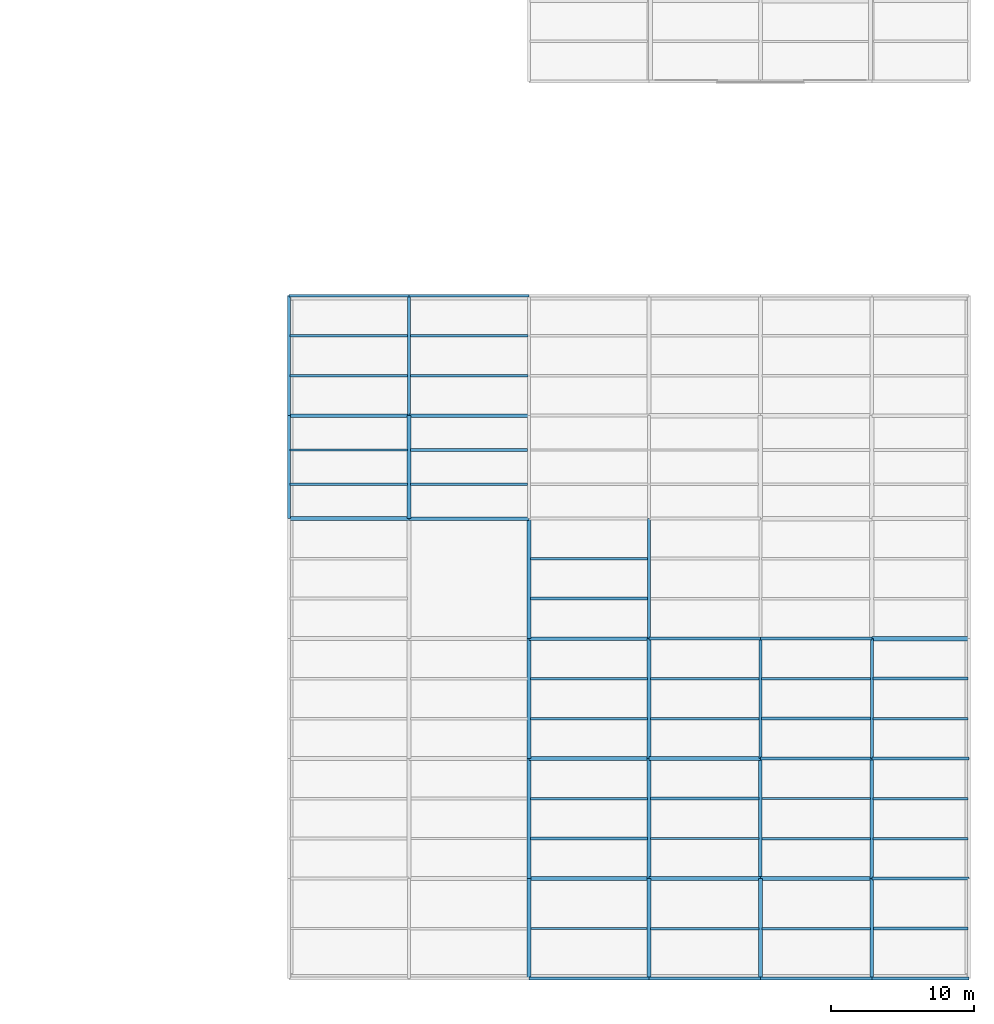
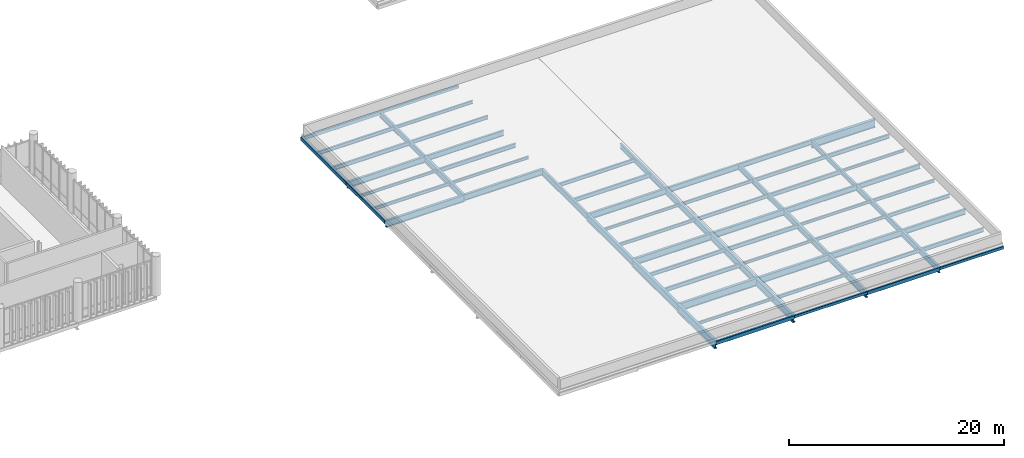
# One storey, part 35 of 68: 70 beams.
"""IFC4 building model written with IfcOpenShell, lengths in metres."""

from ifc_helpers import new_model, si_unit, direction, frame, origin_with_axes, origin_2d_with_axis, place, context, subcontext, project, spatial, hollow_rectangle, i_section, extrude, material, material_profile, profile_set, type_object, element, save


model = new_model("IFC4")

# Units and contexts
model_context = context("Model", 3, precision=1e-05, world=origin_with_axes(), true_north=direction((0.0, 1.0)))
body_context = subcontext(model_context, "Body", "Model", "MODEL_VIEW")
ifc_project = project(units=[si_unit("LENGTHUNIT", "METRE"), si_unit("AREAUNIT", "SQUARE_METRE"), si_unit("VOLUMEUNIT", "CUBIC_METRE"), si_unit("PLANEANGLEUNIT", "RADIAN"), si_unit("MASSUNIT", "GRAM", prefix="KILO"), si_unit("THERMODYNAMICTEMPERATUREUNIT", "KELVIN")], contexts=[model_context])

# Site, building, storey
site_placement = place(None, origin_with_axes())
site = spatial("IfcSite", under=ifc_project, at=site_placement, CompositionType="ELEMENT")
building_placement = place(site_placement, origin_with_axes())
building = spatial("IfcBuilding", under=site, at=building_placement, Name="Montbau Bow Law Courts", CompositionType="ELEMENT")
storey_placement = place(building_placement, frame((0.0, 0.0, 20.4), z_axis=(0.0, 0.0, 1.0), x_axis=(1.0, 0.0, 0.0)))
storey = spatial("IfcBuildingStorey", under=building, at=storey_placement, Name="L04", CompositionType="ELEMENT", Elevation=20.4)

# Beams
ifc_material_1 = material(Name="Steel CSA G40.21 Grade 350W (350 MPa)", Category="steel")
ifc_material_profile_1 = material_profile(ifc_material_1, i_section(OverallWidth=0.306, OverallDepth=0.919, WebThickness=0.0173, FlangeThickness=0.0279, at=origin_2d_with_axis()), Name="W920X253", Category="Main", Priority=0)
ifc_profile_set_1 = profile_set([ifc_material_profile_1], Name="Steel CSA G40.21 Grade 350W (350 MPa)")
beam_type_1 = type_object("IfcBeamType", Name="B-FLR-01", PredefinedType="BEAM", material=ifc_profile_set_1)
beam_1_placement = place(None, frame((162.6, 30.6, 19.651), z_axis=(1.0, 0.0, 0.0), x_axis=(0.0, 1.0, 0.0)))
element("IfcBeam", 1, at=beam_1_placement, inside=storey, type_object=beam_type_1, Name="BM-L04-S1732:bm2_1735", PredefinedType="BEAM", context=body_context, shape_type="SweptSolid", body=[
    extrude(i_section(OverallWidth=0.306, OverallDepth=0.919, WebThickness=0.0173, FlangeThickness=0.0279, at=origin_2d_with_axis()), origin_with_axes(), (0.0, 0.0, 1.0), 6.8),
])
beam_2_placement = place(None, frame((138.6, 6.8, 19.691), z_axis=(0.0, 1.0, 0.0), x_axis=(-1.0, 0.0, 0.0)))
element("IfcBeam", 2, at=beam_2_placement, inside=storey, type_object=beam_type_1, Name="BM-L04-S1763:bm2_1766", PredefinedType="BEAM", context=body_context, shape_type="SweptSolid", body=[
    extrude(i_section(OverallWidth=0.306, OverallDepth=0.919, WebThickness=0.0173, FlangeThickness=0.0279, at=origin_2d_with_axis()), origin_with_axes(), (0.0, 0.0, 1.0), 7.0),
])
ifc_material_profile_2 = material_profile(ifc_material_1, i_section(OverallWidth=0.293, OverallDepth=0.846, WebThickness=0.0154, FlangeThickness=0.0244, at=origin_2d_with_axis()), Name="W840X210", Category="Main", Priority=0)
ifc_profile_set_2 = profile_set([ifc_material_profile_2], Name="Steel CSA G40.21 Grade 350W (350 MPa)")
beam_type_2 = type_object("IfcBeamType", Name="B-FLR-02", PredefinedType="BEAM", material=ifc_profile_set_2)
for number, where, z_axis, x_axis, name in (
    (3, (138.6, 13.8, 19.687), (1.0, 0.0, 0.0), (0.0, 1.0, 0.0), "BM-L04-S1717:bm2_1720"),
    (4, (138.6, 13.8, 19.727), (0.0, 1.0, 0.0), (-1.0, 0.0, 0.0), "BM-L04-S1764:bm2_1767"),
):
    element("IfcBeam", number, at=place(None, frame(where, z_axis=z_axis, x_axis=x_axis)), inside=storey, type_object=beam_type_2, Name=name, PredefinedType="BEAM", context=body_context, shape_type="SweptSolid", body=[
        extrude(i_section(OverallWidth=0.293, OverallDepth=0.846, WebThickness=0.0154, FlangeThickness=0.0244, at=origin_2d_with_axis()), origin_with_axes(), (0.0, 0.0, 1.0), 8.4),
    ])
beam_3_placement = place(None, frame((147.0, 6.8, 19.687), z_axis=(0.0, 1.0, 0.0), x_axis=(-1.0, 0.0, 0.0)))
element("IfcBeam", 5, at=beam_3_placement, inside=storey, type_object=beam_type_2, Name="BM-L04-S1769:bm2_1772", PredefinedType="BEAM", context=body_context, shape_type="SweptSolid", body=[
    extrude(i_section(OverallWidth=0.293, OverallDepth=0.846, WebThickness=0.0154, FlangeThickness=0.0244, at=origin_2d_with_axis()), origin_with_axes(), (0.0, 0.0, 1.0), 7.0),
])
ifc_material_profile_3 = material_profile(ifc_material_1, i_section(OverallWidth=0.267, OverallDepth=0.766, WebThickness=0.0149, FlangeThickness=0.0236, at=origin_2d_with_axis()), Name="W760X185", Category="Main", Priority=0)
ifc_profile_set_3 = profile_set([ifc_material_profile_3], Name="Steel CSA G40.21 Grade 350W (350 MPa)")
beam_type_3 = type_object("IfcBeamType", Name="B-FLR-03", PredefinedType="BEAM", material=ifc_profile_set_3)
beam_4_placement = place(None, frame((147.0, 13.8, 19.727), z_axis=(1.0, 0.0, 0.0), x_axis=(0.0, 1.0, 0.0)))
element("IfcBeam", 6, at=beam_4_placement, inside=storey, type_object=beam_type_3, Name="BM-L04-S1718:bm2_1721", PredefinedType="BEAM", context=body_context, shape_type="SweptSolid", body=[
    extrude(i_section(OverallWidth=0.267, OverallDepth=0.766, WebThickness=0.0149, FlangeThickness=0.0236, at=origin_2d_with_axis()), origin_with_axes(), (0.0, 0.0, 1.0), 7.8),
])
for number, where, z_axis, x_axis, name in (
    (7, (138.6, 22.2, 19.727), (1.0, 0.0, 0.0), (0.0, 1.0, 0.0), "BM-L04-S1723:bm2_1726"),
    (8, (121.8, 39.0, 19.767), (1.0, 0.0, 0.0), (0.0, 1.0, 0.0), "BM-L04-S1733:bm2_1736"),
    (9, (138.6, 22.2, 19.767), (0.0, 1.0, 0.0), (-1.0, 0.0, 0.0), "BM-L04-S1765:bm2_1768"),
    (10, (147.0, 13.8, 19.727), (0.0, 1.0, 0.0), (-1.0, 0.0, 0.0), "BM-L04-S1770:bm2_1773"),
):
    element("IfcBeam", number, at=place(None, frame(where, z_axis=z_axis, x_axis=x_axis)), inside=storey, type_object=beam_type_3, Name=name, PredefinedType="BEAM", context=body_context, shape_type="SweptSolid", body=[
        extrude(i_section(OverallWidth=0.267, OverallDepth=0.766, WebThickness=0.0149, FlangeThickness=0.0236, at=origin_2d_with_axis()), origin_with_axes(), (0.0, 0.0, 1.0), 8.4),
    ])
beam_5_placement = place(None, frame((154.8, 6.8, 19.727), z_axis=(0.0, 1.0, 0.0), x_axis=(-1.0, 0.0, 0.0)))
element("IfcBeam", 11, at=beam_5_placement, inside=storey, type_object=beam_type_3, Name="BM-L04-S1775:bm2_1778", PredefinedType="BEAM", context=body_context, shape_type="SweptSolid", body=[
    extrude(i_section(OverallWidth=0.267, OverallDepth=0.766, WebThickness=0.0149, FlangeThickness=0.0236, at=origin_2d_with_axis()), origin_with_axes(), (0.0, 0.0, 1.0), 7.0),
])
ifc_material_profile_4 = material_profile(ifc_material_1, i_section(OverallWidth=0.254, OverallDepth=0.688, WebThickness=0.0131, FlangeThickness=0.0211, at=origin_2d_with_axis()), Name="W690X152", Category="Main", Priority=0)
ifc_profile_set_4 = profile_set([ifc_material_profile_4], Name="Steel CSA G40.21 Grade 350W (350 MPa)")
beam_type_4 = type_object("IfcBeamType", Name="B-FLR-04", PredefinedType="BEAM", material=ifc_profile_set_4)
for number, where, z_axis, x_axis, name in (
    (12, (154.8, 13.8, 19.766), (1.0, 0.0, 0.0), (0.0, 1.0, 0.0), "BM-L04-S1719:bm2_1722"),
    (13, (147.0, 22.2, 19.766), (1.0, 0.0, 0.0), (0.0, 1.0, 0.0), "BM-L04-S1724:bm2_1727"),
):
    element("IfcBeam", number, at=place(None, frame(where, z_axis=z_axis, x_axis=x_axis)), inside=storey, type_object=beam_type_4, Name=name, PredefinedType="BEAM", context=body_context, shape_type="SweptSolid", body=[
        extrude(i_section(OverallWidth=0.254, OverallDepth=0.688, WebThickness=0.0131, FlangeThickness=0.0211, at=origin_2d_with_axis()), origin_with_axes(), (0.0, 0.0, 1.0), 7.8),
    ])
for number, where, z_axis, x_axis, name in (
    (14, (138.6, 30.6, 19.766), (1.0, 0.0, 0.0), (0.0, 1.0, 0.0), "BM-L04-S1729:bm2_1732"),
    (15, (130.2, 39.0, 19.806), (1.0, 0.0, 0.0), (0.0, 1.0, 0.0), "BM-L04-S1734:bm2_1737"),
    (16, (121.8, 46.2, 19.806), (1.0, 0.0, 0.0), (0.0, 1.0, 0.0), "BM-L04-S1739:bm2_1742"),
):
    element("IfcBeam", number, at=place(None, frame(where, z_axis=z_axis, x_axis=x_axis)), inside=storey, type_object=beam_type_4, Name=name, PredefinedType="BEAM", context=body_context, shape_type="SweptSolid", body=[
        extrude(i_section(OverallWidth=0.254, OverallDepth=0.688, WebThickness=0.0131, FlangeThickness=0.0211, at=origin_2d_with_axis()), origin_with_axes(), (0.0, 0.0, 1.0), 8.4),
    ])
beam_6_placement = place(None, frame((130.2, 39.0, 19.806), z_axis=(0.0, 1.0, 0.0), x_axis=(-1.0, 0.0, 0.0)))
element("IfcBeam", 17, at=beam_6_placement, inside=storey, type_object=beam_type_4, Name="BM-L04-S1761:bm2_1764", PredefinedType="BEAM", context=body_context, shape_type="SweptSolid", body=[
    extrude(i_section(OverallWidth=0.254, OverallDepth=0.688, WebThickness=0.0131, FlangeThickness=0.0211, at=origin_2d_with_axis()), origin_with_axes(), (0.0, 0.0, 1.0), 7.2),
])
for number, where, z_axis, x_axis, name in (
    (18, (138.6, 30.6, 19.806), (0.0, 1.0, 0.0), (-1.0, 0.0, 0.0), "BM-L04-S1766:bm2_1769"),
    (19, (147.0, 22.2, 19.766), (0.0, 1.0, 0.0), (-1.0, 0.0, 0.0), "BM-L04-S1771:bm2_1774"),
    (20, (154.8, 13.8, 19.766), (0.0, 1.0, 0.0), (-1.0, 0.0, 0.0), "BM-L04-S1776:bm2_1779"),
):
    element("IfcBeam", number, at=place(None, frame(where, z_axis=z_axis, x_axis=x_axis)), inside=storey, type_object=beam_type_4, Name=name, PredefinedType="BEAM", context=body_context, shape_type="SweptSolid", body=[
        extrude(i_section(OverallWidth=0.254, OverallDepth=0.688, WebThickness=0.0131, FlangeThickness=0.0211, at=origin_2d_with_axis()), origin_with_axes(), (0.0, 0.0, 1.0), 8.4),
    ])
beam_7_placement = place(None, frame((162.6, 6.8, 19.766), z_axis=(0.0, 1.0, 0.0), x_axis=(-1.0, 0.0, 0.0)))
element("IfcBeam", 21, at=beam_7_placement, inside=storey, type_object=beam_type_4, Name="BM-L04-S1781:bm2_1784", PredefinedType="BEAM", context=body_context, shape_type="SweptSolid", body=[
    extrude(i_section(OverallWidth=0.254, OverallDepth=0.688, WebThickness=0.0131, FlangeThickness=0.0211, at=origin_2d_with_axis()), origin_with_axes(), (0.0, 0.0, 1.0), 7.0),
])
ifc_material_profile_5 = material_profile(ifc_material_1, i_section(OverallWidth=0.229, OverallDepth=0.612, WebThickness=0.0119, FlangeThickness=0.0196, at=origin_2d_with_axis()), Name="W610X125", Category="Main", Priority=0)
ifc_profile_set_5 = profile_set([ifc_material_profile_5], Name="Steel CSA G40.21 Grade 350W (350 MPa)")
beam_type_5 = type_object("IfcBeamType", Name="B-FLR-05", PredefinedType="BEAM", material=ifc_profile_set_5)
beam_8_placement = place(None, frame((162.6, 13.8, 19.804), z_axis=(1.0, 0.0, 0.0), x_axis=(0.0, 1.0, 0.0)))
element("IfcBeam", 22, at=beam_8_placement, inside=storey, type_object=beam_type_5, Name="BM-L04-S1720:bm2_1723", PredefinedType="BEAM", context=body_context, shape_type="SweptSolid", body=[
    extrude(i_section(OverallWidth=0.229, OverallDepth=0.612, WebThickness=0.0119, FlangeThickness=0.0196, at=origin_2d_with_axis()), origin_with_axes(), (0.0, 0.0, 1.0), 6.8),
])
for number, where, z_axis, x_axis, name in (
    (23, (154.8, 22.2, 19.804), (1.0, 0.0, 0.0), (0.0, 1.0, 0.0), "BM-L04-S1725:bm2_1728"),
    (24, (147.0, 30.6, 19.804), (1.0, 0.0, 0.0), (0.0, 1.0, 0.0), "BM-L04-S1730:bm2_1733"),
):
    element("IfcBeam", number, at=place(None, frame(where, z_axis=z_axis, x_axis=x_axis)), inside=storey, type_object=beam_type_5, Name=name, PredefinedType="BEAM", context=body_context, shape_type="SweptSolid", body=[
        extrude(i_section(OverallWidth=0.229, OverallDepth=0.612, WebThickness=0.0119, FlangeThickness=0.0196, at=origin_2d_with_axis()), origin_with_axes(), (0.0, 0.0, 1.0), 7.8),
    ])
for number, where, z_axis, x_axis, name in (
    (25, (130.2, 46.2, 19.844), (1.0, 0.0, 0.0), (0.0, 1.0, 0.0), "BM-L04-S1740:bm2_1743"),
    (26, (130.2, 46.2, 19.844), (0.0, 1.0, 0.0), (-1.0, 0.0, 0.0), "BM-L04-S1762:bm2_1765"),
    (27, (147.0, 30.6, 19.804), (0.0, 1.0, 0.0), (-1.0, 0.0, 0.0), "BM-L04-S1772:bm2_1775"),
    (28, (154.8, 22.2, 19.804), (0.0, 1.0, 0.0), (-1.0, 0.0, 0.0), "BM-L04-S1777:bm2_1780"),
    (29, (162.6, 13.8, 19.804), (0.0, 1.0, 0.0), (-1.0, 0.0, 0.0), "BM-L04-S1782:bm2_1785"),
):
    element("IfcBeam", number, at=place(None, frame(where, z_axis=z_axis, x_axis=x_axis)), inside=storey, type_object=beam_type_5, Name=name, PredefinedType="BEAM", context=body_context, shape_type="SweptSolid", body=[
        extrude(i_section(OverallWidth=0.229, OverallDepth=0.612, WebThickness=0.0119, FlangeThickness=0.0196, at=origin_2d_with_axis()), origin_with_axes(), (0.0, 0.0, 1.0), 8.4),
    ])
ifc_material_profile_6 = material_profile(ifc_material_1, i_section(OverallWidth=0.21, OverallDepth=0.537, WebThickness=0.0109, FlangeThickness=0.0174, at=origin_2d_with_axis()), Name="W530X101", Category="Main", Priority=0)
ifc_profile_set_6 = profile_set([ifc_material_profile_6], Name="Steel CSA G40.21 Grade 350W (350 MPa)")
beam_type_6 = type_object("IfcBeamType", Name="B-FLR-06", PredefinedType="BEAM", material=ifc_profile_set_6)
beam_9_placement = place(None, frame((162.6, 22.2, 19.841), z_axis=(1.0, 0.0, 0.0), x_axis=(0.0, 1.0, 0.0)))
element("IfcBeam", 30, at=beam_9_placement, inside=storey, type_object=beam_type_6, Name="BM-L04-S1726:bm2_1729", PredefinedType="BEAM", context=body_context, shape_type="SweptSolid", body=[
    extrude(i_section(OverallWidth=0.21, OverallDepth=0.537, WebThickness=0.0109, FlangeThickness=0.0174, at=origin_2d_with_axis()), origin_with_axes(), (0.0, 0.0, 1.0), 6.8),
])
beam_10_placement = place(None, frame((154.8, 30.6, 19.841), z_axis=(1.0, 0.0, 0.0), x_axis=(0.0, 1.0, 0.0)))
element("IfcBeam", 31, at=beam_10_placement, inside=storey, type_object=beam_type_6, Name="BM-L04-S1731:bm2_1734", PredefinedType="BEAM", context=body_context, shape_type="SweptSolid", body=[
    extrude(i_section(OverallWidth=0.21, OverallDepth=0.537, WebThickness=0.0109, FlangeThickness=0.0174, at=origin_2d_with_axis()), origin_with_axes(), (0.0, 0.0, 1.0), 7.8),
])
beam_11_placement = place(None, frame((162.6, 22.2, 19.841), z_axis=(0.0, 1.0, 0.0), x_axis=(-1.0, 0.0, 0.0)))
element("IfcBeam", 32, at=beam_11_placement, inside=storey, type_object=beam_type_6, Name="BM-L04-S1783:bm2_1786", PredefinedType="BEAM", context=body_context, shape_type="SweptSolid", body=[
    extrude(i_section(OverallWidth=0.21, OverallDepth=0.537, WebThickness=0.0109, FlangeThickness=0.0174, at=origin_2d_with_axis()), origin_with_axes(), (0.0, 0.0, 1.0), 8.4),
])
ifc_material_profile_7 = material_profile(ifc_material_1, i_section(OverallWidth=0.191, OverallDepth=0.46, WebThickness=0.0099, FlangeThickness=0.016, at=origin_2d_with_axis()), Name="W460X82", Category="Main", Priority=0)
ifc_profile_set_7 = profile_set([ifc_material_profile_7], Name="Steel CSA G40.21 Grade 350W (350 MPa)")
beam_type_7 = type_object("IfcBeamType", Name="B-JST-01", PredefinedType="JOIST", material=ifc_profile_set_7)
beam_12_placement = place(None, frame((121.88, 49.0, 19.92), z_axis=(1.0, 0.0, 0.0), x_axis=(0.0, 1.0, 0.0)))
element("IfcBeam", 33, at=beam_12_placement, inside=storey, type_object=beam_type_7, Name="JST-L04-S1020:jst2_1020", PredefinedType="JOIST", context=body_context, shape_type="SweptSolid", body=[
    extrude(i_section(OverallWidth=0.191, OverallDepth=0.46, WebThickness=0.0099, FlangeThickness=0.016, at=origin_2d_with_axis()), origin_with_axes(), (0.0, 0.0, 1.0), 8.229),
])
beam_13_placement = place(None, frame((130.303, 43.8, 19.92), z_axis=(1.0, 0.0, 0.0), x_axis=(0.0, 1.0, 0.0)))
element("IfcBeam", 34, at=beam_13_placement, inside=storey, type_object=beam_type_7, Name="JST-L04-S1028:jst2_1028", PredefinedType="JOIST", context=body_context, shape_type="SweptSolid", body=[
    extrude(i_section(OverallWidth=0.191, OverallDepth=0.46, WebThickness=0.0099, FlangeThickness=0.016, at=origin_2d_with_axis()), origin_with_axes(), (0.0, 0.0, 1.0), 8.207),
])
beam_14_placement = place(None, frame((138.722, 16.6, 19.88), z_axis=(1.0, 0.0, 0.0), x_axis=(0.0, 1.0, 0.0)))
element("IfcBeam", 35, at=beam_14_placement, inside=storey, type_object=beam_type_7, Name="JST-L04-S1032:jst2_1032", PredefinedType="JOIST", context=body_context, shape_type="SweptSolid", body=[
    extrude(i_section(OverallWidth=0.191, OverallDepth=0.46, WebThickness=0.0099, FlangeThickness=0.016, at=origin_2d_with_axis()), origin_with_axes(), (0.0, 0.0, 1.0), 8.169),
])
beam_15_placement = place(None, frame((138.703, 33.4, 19.88), z_axis=(1.0, 0.0, 0.0), x_axis=(0.0, 1.0, 0.0)))
element("IfcBeam", 36, at=beam_15_placement, inside=storey, type_object=beam_type_7, Name="JST-L04-S1036:jst2_1036", PredefinedType="JOIST", context=body_context, shape_type="SweptSolid", body=[
    extrude(i_section(OverallWidth=0.191, OverallDepth=0.46, WebThickness=0.0099, FlangeThickness=0.016, at=origin_2d_with_axis()), origin_with_axes(), (0.0, 0.0, 1.0), 8.207),
])
beam_16_placement = place(None, frame((147.109, 19.4, 19.88), z_axis=(1.0, 0.0, 0.0), x_axis=(0.0, 1.0, 0.0)))
element("IfcBeam", 37, at=beam_16_placement, inside=storey, type_object=beam_type_7, Name="JST-L04-S1044:jst2_1044", PredefinedType="JOIST", context=body_context, shape_type="SweptSolid", body=[
    extrude(i_section(OverallWidth=0.191, OverallDepth=0.46, WebThickness=0.0099, FlangeThickness=0.016, at=origin_2d_with_axis()), origin_with_axes(), (0.0, 0.0, 1.0), 7.588),
])
beam_17_placement = place(None, frame((154.891, 25.0, 19.88), z_axis=(1.0, 0.0, 0.0), x_axis=(0.0, 1.0, 0.0)))
element("IfcBeam", 38, at=beam_17_placement, inside=storey, type_object=beam_type_7, Name="JST-L04-S1056:jst2_1056", PredefinedType="JOIST", context=body_context, shape_type="SweptSolid", body=[
    extrude(i_section(OverallWidth=0.191, OverallDepth=0.46, WebThickness=0.0099, FlangeThickness=0.016, at=origin_2d_with_axis()), origin_with_axes(), (0.0, 0.0, 1.0), 7.628),
])
beam_18_placement = place(None, frame((162.703, 10.3, 19.88), z_axis=(1.0, 0.0, 0.0), x_axis=(0.0, 1.0, 0.0)))
element("IfcBeam", 39, at=beam_18_placement, inside=storey, type_object=beam_type_7, Name="JST-L04-S1064:jst2_1064", PredefinedType="JOIST", context=body_context, shape_type="SweptSolid", body=[
    extrude(i_section(OverallWidth=0.191, OverallDepth=0.46, WebThickness=0.0099, FlangeThickness=0.016, at=origin_2d_with_axis()), origin_with_axes(), (0.0, 0.0, 1.0), 6.617),
])
beam_19_placement = place(None, frame((162.681, 27.8, 19.88), z_axis=(1.0, 0.0, 0.0), x_axis=(0.0, 1.0, 0.0)))
element("IfcBeam", 40, at=beam_19_placement, inside=storey, type_object=beam_type_7, Name="JST-L04-S1068:jst2_1068", PredefinedType="JOIST", context=body_context, shape_type="SweptSolid", body=[
    extrude(i_section(OverallWidth=0.191, OverallDepth=0.46, WebThickness=0.0099, FlangeThickness=0.016, at=origin_2d_with_axis()), origin_with_axes(), (0.0, 0.0, 1.0), 6.639),
])
ifc_material_profile_8 = material_profile(ifc_material_1, i_section(OverallWidth=0.179, OverallDepth=0.41, WebThickness=0.0088, FlangeThickness=0.0144, at=origin_2d_with_axis()), Name="W410X67", Category="Main", Priority=0)
ifc_profile_set_8 = profile_set([ifc_material_profile_8], Name="Steel CSA G40.21 Grade 350W (350 MPa)")
beam_type_8 = type_object("IfcBeamType", Name="B-JST-02", PredefinedType="JOIST", material=ifc_profile_set_8)
for number, where, z_axis, x_axis, name in (
    (41, (121.88, 51.8, 19.945), (1.0, 0.0, 0.0), (0.0, 1.0, 0.0), "JST-L04-S1021:jst2_1021"),
    (42, (130.29, 49.0, 19.945), (1.0, 0.0, 0.0), (0.0, 1.0, 0.0), "JST-L04-S1029:jst2_1029"),
):
    element("IfcBeam", number, at=place(None, frame(where, z_axis=z_axis, x_axis=x_axis)), inside=storey, type_object=beam_type_8, Name=name, PredefinedType="JOIST", context=body_context, shape_type="SweptSolid", body=[
        extrude(i_section(OverallWidth=0.179, OverallDepth=0.41, WebThickness=0.0088, FlangeThickness=0.0144, at=origin_2d_with_axis()), origin_with_axes(), (0.0, 0.0, 1.0), 8.229),
    ])
beam_20_placement = place(None, frame((138.722, 19.4, 19.905), z_axis=(1.0, 0.0, 0.0), x_axis=(0.0, 1.0, 0.0)))
element("IfcBeam", 43, at=beam_20_placement, inside=storey, type_object=beam_type_8, Name="JST-L04-S1033:jst2_1033", PredefinedType="JOIST", context=body_context, shape_type="SweptSolid", body=[
    extrude(i_section(OverallWidth=0.179, OverallDepth=0.41, WebThickness=0.0088, FlangeThickness=0.0144, at=origin_2d_with_axis()), origin_with_axes(), (0.0, 0.0, 1.0), 8.169),
])
beam_21_placement = place(None, frame((138.703, 36.2, 19.905), z_axis=(1.0, 0.0, 0.0), x_axis=(0.0, 1.0, 0.0)))
element("IfcBeam", 44, at=beam_21_placement, inside=storey, type_object=beam_type_8, Name="JST-L04-S1037:jst2_1037", PredefinedType="JOIST", context=body_context, shape_type="SweptSolid", body=[
    extrude(i_section(OverallWidth=0.179, OverallDepth=0.41, WebThickness=0.0088, FlangeThickness=0.0144, at=origin_2d_with_axis()), origin_with_axes(), (0.0, 0.0, 1.0), 8.207),
])
beam_22_placement = place(None, frame((147.103, 25.0, 19.905), z_axis=(1.0, 0.0, 0.0), x_axis=(0.0, 1.0, 0.0)))
element("IfcBeam", 45, at=beam_22_placement, inside=storey, type_object=beam_type_8, Name="JST-L04-S1045:jst2_1045", PredefinedType="JOIST", context=body_context, shape_type="SweptSolid", body=[
    extrude(i_section(OverallWidth=0.179, OverallDepth=0.41, WebThickness=0.0088, FlangeThickness=0.0144, at=origin_2d_with_axis()), origin_with_axes(), (0.0, 0.0, 1.0), 7.607),
])
beam_23_placement = place(None, frame((154.91, 10.3, 19.905), z_axis=(1.0, 0.0, 0.0), x_axis=(0.0, 1.0, 0.0)))
element("IfcBeam", 46, at=beam_23_placement, inside=storey, type_object=beam_type_8, Name="JST-L04-S1053:jst2_1053", PredefinedType="JOIST", context=body_context, shape_type="SweptSolid", body=[
    extrude(i_section(OverallWidth=0.179, OverallDepth=0.41, WebThickness=0.0088, FlangeThickness=0.0144, at=origin_2d_with_axis()), origin_with_axes(), (0.0, 0.0, 1.0), 7.587),
])
beam_24_placement = place(None, frame((154.891, 27.8, 19.905), z_axis=(1.0, 0.0, 0.0), x_axis=(0.0, 1.0, 0.0)))
element("IfcBeam", 47, at=beam_24_placement, inside=storey, type_object=beam_type_8, Name="JST-L04-S1057:jst2_1057", PredefinedType="JOIST", context=body_context, shape_type="SweptSolid", body=[
    extrude(i_section(OverallWidth=0.179, OverallDepth=0.41, WebThickness=0.0088, FlangeThickness=0.0144, at=origin_2d_with_axis()), origin_with_axes(), (0.0, 0.0, 1.0), 7.628),
])
beam_25_placement = place(None, frame((162.69, 16.6, 19.905), z_axis=(1.0, 0.0, 0.0), x_axis=(0.0, 1.0, 0.0)))
element("IfcBeam", 48, at=beam_25_placement, inside=storey, type_object=beam_type_8, Name="JST-L04-S1065:jst2_1065", PredefinedType="JOIST", context=body_context, shape_type="SweptSolid", body=[
    extrude(i_section(OverallWidth=0.179, OverallDepth=0.41, WebThickness=0.0088, FlangeThickness=0.0144, at=origin_2d_with_axis()), origin_with_axes(), (0.0, 0.0, 1.0), 6.63),
])
ifc_material_profile_9 = material_profile(ifc_material_1, i_section(OverallWidth=0.172, OverallDepth=0.358, WebThickness=0.0079, FlangeThickness=0.0131, at=origin_2d_with_axis()), Name="W360X57", Category="Main", Priority=0)
ifc_profile_set_9 = profile_set([ifc_material_profile_9], Name="Steel CSA G40.21 Grade 350W (350 MPa)")
beam_type_9 = type_object("IfcBeamType", Name="B-JST-03", PredefinedType="JOIST", material=ifc_profile_set_9)
beam_26_placement = place(None, frame((121.88, 41.4, 19.971), z_axis=(1.0, 0.0, 0.0), x_axis=(0.0, 1.0, 0.0)))
element("IfcBeam", 49, at=beam_26_placement, inside=storey, type_object=beam_type_9, Name="JST-L04-S1018:jst2_1018", PredefinedType="JOIST", context=body_context, shape_type="SweptSolid", body=[
    extrude(i_section(OverallWidth=0.172, OverallDepth=0.358, WebThickness=0.0079, FlangeThickness=0.0131, at=origin_2d_with_axis()), origin_with_axes(), (0.0, 0.0, 1.0), 8.217),
])
beam_27_placement = place(None, frame((130.29, 51.8, 19.971), z_axis=(1.0, 0.0, 0.0), x_axis=(0.0, 1.0, 0.0)))
element("IfcBeam", 50, at=beam_27_placement, inside=storey, type_object=beam_type_9, Name="JST-L04-S1030:jst2_1030", PredefinedType="JOIST", context=body_context, shape_type="SweptSolid", body=[
    extrude(i_section(OverallWidth=0.172, OverallDepth=0.358, WebThickness=0.0079, FlangeThickness=0.0131, at=origin_2d_with_axis()), origin_with_axes(), (0.0, 0.0, 1.0), 8.229),
])
beam_28_placement = place(None, frame((138.709, 25.0, 19.931), z_axis=(1.0, 0.0, 0.0), x_axis=(0.0, 1.0, 0.0)))
element("IfcBeam", 51, at=beam_28_placement, inside=storey, type_object=beam_type_9, Name="JST-L04-S1034:jst2_1034", PredefinedType="JOIST", context=body_context, shape_type="SweptSolid", body=[
    extrude(i_section(OverallWidth=0.172, OverallDepth=0.358, WebThickness=0.0079, FlangeThickness=0.0131, at=origin_2d_with_axis()), origin_with_axes(), (0.0, 0.0, 1.0), 8.188),
])
beam_29_placement = place(None, frame((147.123, 10.3, 19.931), z_axis=(1.0, 0.0, 0.0), x_axis=(0.0, 1.0, 0.0)))
element("IfcBeam", 52, at=beam_29_placement, inside=storey, type_object=beam_type_9, Name="JST-L04-S1042:jst2_1042", PredefinedType="JOIST", context=body_context, shape_type="SweptSolid", body=[
    extrude(i_section(OverallWidth=0.172, OverallDepth=0.358, WebThickness=0.0079, FlangeThickness=0.0131, at=origin_2d_with_axis()), origin_with_axes(), (0.0, 0.0, 1.0), 7.568),
])
for number, where, z_axis, x_axis, name in (
    (53, (147.103, 27.8, 19.931), (1.0, 0.0, 0.0), (0.0, 1.0, 0.0), "JST-L04-S1046:jst2_1046"),
    (54, (154.903, 16.6, 19.931), (1.0, 0.0, 0.0), (0.0, 1.0, 0.0), "JST-L04-S1054:jst2_1054"),
):
    element("IfcBeam", number, at=place(None, frame(where, z_axis=z_axis, x_axis=x_axis)), inside=storey, type_object=beam_type_9, Name=name, PredefinedType="JOIST", context=body_context, shape_type="SweptSolid", body=[
        extrude(i_section(OverallWidth=0.172, OverallDepth=0.358, WebThickness=0.0079, FlangeThickness=0.0131, at=origin_2d_with_axis()), origin_with_axes(), (0.0, 0.0, 1.0), 7.607),
    ])
beam_30_placement = place(None, frame((162.69, 19.4, 19.931), z_axis=(1.0, 0.0, 0.0), x_axis=(0.0, 1.0, 0.0)))
element("IfcBeam", 55, at=beam_30_placement, inside=storey, type_object=beam_type_9, Name="JST-L04-S1066:jst2_1066", PredefinedType="JOIST", context=body_context, shape_type="SweptSolid", body=[
    extrude(i_section(OverallWidth=0.172, OverallDepth=0.358, WebThickness=0.0079, FlangeThickness=0.0131, at=origin_2d_with_axis()), origin_with_axes(), (0.0, 0.0, 1.0), 6.63),
])
ifc_material_profile_10 = material_profile(ifc_material_1, i_section(OverallWidth=0.166, OverallDepth=0.313, WebThickness=0.0066, FlangeThickness=0.0112, at=origin_2d_with_axis()), Name="W310X45", Category="Main", Priority=0)
ifc_profile_set_10 = profile_set([ifc_material_profile_10], Name="Steel CSA G40.21 Grade 350W (350 MPa)")
beam_type_10 = type_object("IfcBeamType", Name="B-JST-04", PredefinedType="JOIST", material=ifc_profile_set_10)
beam_31_placement = place(None, frame((121.88, 43.8, 19.993), z_axis=(1.0, 0.0, 0.0), x_axis=(0.0, 1.0, 0.0)))
element("IfcBeam", 56, at=beam_31_placement, inside=storey, type_object=beam_type_10, Name="JST-L04-S1019:jst2_1019", PredefinedType="JOIST", context=body_context, shape_type="SweptSolid", body=[
    extrude(i_section(OverallWidth=0.166, OverallDepth=0.313, WebThickness=0.0066, FlangeThickness=0.0112, at=origin_2d_with_axis()), origin_with_axes(), (0.0, 0.0, 1.0), 8.217),
])
beam_32_placement = place(None, frame((130.303, 41.4, 19.993), z_axis=(1.0, 0.0, 0.0), x_axis=(0.0, 1.0, 0.0)))
element("IfcBeam", 57, at=beam_32_placement, inside=storey, type_object=beam_type_10, Name="JST-L04-S1027:jst2_1027", PredefinedType="JOIST", context=body_context, shape_type="SweptSolid", body=[
    extrude(i_section(OverallWidth=0.166, OverallDepth=0.313, WebThickness=0.0066, FlangeThickness=0.0112, at=origin_2d_with_axis()), origin_with_axes(), (0.0, 0.0, 1.0), 8.207),
])
beam_33_placement = place(None, frame((138.729, 10.3, 19.953), z_axis=(1.0, 0.0, 0.0), x_axis=(0.0, 1.0, 0.0)))
element("IfcBeam", 58, at=beam_33_placement, inside=storey, type_object=beam_type_10, Name="JST-L04-S1031:jst2_1031", PredefinedType="JOIST", context=body_context, shape_type="SweptSolid", body=[
    extrude(i_section(OverallWidth=0.166, OverallDepth=0.313, WebThickness=0.0066, FlangeThickness=0.0112, at=origin_2d_with_axis()), origin_with_axes(), (0.0, 0.0, 1.0), 8.148),
])
beam_34_placement = place(None, frame((138.709, 27.8, 19.953), z_axis=(1.0, 0.0, 0.0), x_axis=(0.0, 1.0, 0.0)))
element("IfcBeam", 59, at=beam_34_placement, inside=storey, type_object=beam_type_10, Name="JST-L04-S1035:jst2_1035", PredefinedType="JOIST", context=body_context, shape_type="SweptSolid", body=[
    extrude(i_section(OverallWidth=0.166, OverallDepth=0.313, WebThickness=0.0066, FlangeThickness=0.0112, at=origin_2d_with_axis()), origin_with_axes(), (0.0, 0.0, 1.0), 8.188),
])
beam_35_placement = place(None, frame((147.109, 16.6, 19.953), z_axis=(1.0, 0.0, 0.0), x_axis=(0.0, 1.0, 0.0)))
element("IfcBeam", 60, at=beam_35_placement, inside=storey, type_object=beam_type_10, Name="JST-L04-S1043:jst2_1043", PredefinedType="JOIST", context=body_context, shape_type="SweptSolid", body=[
    extrude(i_section(OverallWidth=0.166, OverallDepth=0.313, WebThickness=0.0066, FlangeThickness=0.0112, at=origin_2d_with_axis()), origin_with_axes(), (0.0, 0.0, 1.0), 7.588),
])
beam_36_placement = place(None, frame((154.903, 19.4, 19.953), z_axis=(1.0, 0.0, 0.0), x_axis=(0.0, 1.0, 0.0)))
element("IfcBeam", 61, at=beam_36_placement, inside=storey, type_object=beam_type_10, Name="JST-L04-S1055:jst2_1055", PredefinedType="JOIST", context=body_context, shape_type="SweptSolid", body=[
    extrude(i_section(OverallWidth=0.166, OverallDepth=0.313, WebThickness=0.0066, FlangeThickness=0.0112, at=origin_2d_with_axis()), origin_with_axes(), (0.0, 0.0, 1.0), 7.607),
])
beam_37_placement = place(None, frame((162.681, 25.0, 19.953), z_axis=(1.0, 0.0, 0.0), x_axis=(0.0, 1.0, 0.0)))
element("IfcBeam", 62, at=beam_37_placement, inside=storey, type_object=beam_type_10, Name="JST-L04-S1067:jst2_1067", PredefinedType="JOIST", context=body_context, shape_type="SweptSolid", body=[
    extrude(i_section(OverallWidth=0.166, OverallDepth=0.313, WebThickness=0.0066, FlangeThickness=0.0112, at=origin_2d_with_axis()), origin_with_axes(), (0.0, 0.0, 1.0), 6.639),
])
ifc_material_2 = material(Name="Steel CSA G40.21 Grade 350WT (350 MPa)", Category="steel")
ifc_material_profile_11 = material_profile(ifc_material_2, hollow_rectangle(XDim=0.203, YDim=0.406, WallThickness=0.0127, InnerFilletRadius=0.0254, OuterFilletRadius=0.0127, at=origin_2d_with_axis()), Name="HSS406X203X13", Category="Main", Priority=0)
ifc_profile_set_11 = profile_set([ifc_material_profile_11], Name="Steel CSA G40.21 Grade 350WT (350 MPa)")
beam_type_11 = type_object("IfcBeamType", Name="B-SPN-01", PredefinedType="SPANDREL", material=ifc_profile_set_11)
beam_38_placement = place(None, frame((138.6, 6.8, 19.907), z_axis=(1.0, 0.0, 0.0), x_axis=(0.0, 1.0, 0.0)))
element("IfcBeam", 63, at=beam_38_placement, inside=storey, type_object=beam_type_11, Name="SPN-L04-S1711:bm2_1714", PredefinedType="SPANDREL", context=body_context, shape_type="SweptSolid", body=[
    extrude(hollow_rectangle(XDim=0.203, YDim=0.406, WallThickness=0.0127, InnerFilletRadius=0.0254, OuterFilletRadius=0.0127, at=origin_2d_with_axis()), origin_with_axes(), (0.0, 0.0, 1.0), 8.4),
])
beam_39_placement = place(None, frame((154.8, 6.8, 19.907), z_axis=(1.0, 0.0, 0.0), x_axis=(0.0, 1.0, 0.0)))
element("IfcBeam", 64, at=beam_39_placement, inside=storey, type_object=beam_type_11, Name="SPN-L04-S1713:bm2_1716", PredefinedType="SPANDREL", context=body_context, shape_type="SweptSolid", body=[
    extrude(hollow_rectangle(XDim=0.203, YDim=0.406, WallThickness=0.0127, InnerFilletRadius=0.0254, OuterFilletRadius=0.0127, at=origin_2d_with_axis()), origin_with_axes(), (0.0, 0.0, 1.0), 7.8),
])
beam_40_placement = place(None, frame((121.8, 54.6, 19.947), z_axis=(1.0, 0.0, 0.0), x_axis=(0.0, 1.0, 0.0)))
element("IfcBeam", 65, at=beam_40_placement, inside=storey, type_object=beam_type_11, Name="SPN-L04-S1745:bm2_1748", PredefinedType="SPANDREL", context=body_context, shape_type="SweptSolid", body=[
    extrude(hollow_rectangle(XDim=0.203, YDim=0.406, WallThickness=0.0127, InnerFilletRadius=0.0254, OuterFilletRadius=0.0127, at=origin_2d_with_axis()), origin_with_axes(), (0.0, 0.0, 1.0), 8.4),
])
beam_41_placement = place(None, frame((121.8, 39.0, 19.947), z_axis=(0.0, 1.0, 0.0), x_axis=(-1.0, 0.0, 0.0)))
element("IfcBeam", 66, at=beam_41_placement, inside=storey, type_object=beam_type_11, Name="SPN-L04-S1755:bm2_1758", PredefinedType="SPANDREL", context=body_context, shape_type="SweptSolid", body=[
    extrude(hollow_rectangle(XDim=0.203, YDim=0.406, WallThickness=0.0127, InnerFilletRadius=0.0254, OuterFilletRadius=0.0127, at=origin_2d_with_axis()), origin_with_axes(), (0.0, 0.0, 1.0), 7.2),
])
beam_42_placement = place(None, frame((121.8, 46.2, 19.947), z_axis=(0.0, 1.0, 0.0), x_axis=(-1.0, 0.0, 0.0)))
element("IfcBeam", 67, at=beam_42_placement, inside=storey, type_object=beam_type_11, Name="SPN-L04-S1756:bm2_1759", PredefinedType="SPANDREL", context=body_context, shape_type="SweptSolid", body=[
    extrude(hollow_rectangle(XDim=0.203, YDim=0.406, WallThickness=0.0127, InnerFilletRadius=0.0254, OuterFilletRadius=0.0127, at=origin_2d_with_axis()), origin_with_axes(), (0.0, 0.0, 1.0), 8.4),
])
ifc_material_profile_12 = material_profile(ifc_material_2, hollow_rectangle(XDim=0.203, YDim=0.305, WallThickness=0.0127, InnerFilletRadius=0.0254, OuterFilletRadius=0.0127, at=origin_2d_with_axis()), Name="HSS305X203X13", Category="Main", Priority=0)
ifc_profile_set_12 = profile_set([ifc_material_profile_12], Name="Steel CSA G40.21 Grade 350WT (350 MPa)")
beam_type_12 = type_object("IfcBeamType", Name="B-SPN-02", PredefinedType="SPANDREL", material=ifc_profile_set_12)
beam_43_placement = place(None, frame((147.0, 6.8, 19.957), z_axis=(1.0, 0.0, 0.0), x_axis=(0.0, 1.0, 0.0)))
element("IfcBeam", 68, at=beam_43_placement, inside=storey, type_object=beam_type_12, Name="SPN-L04-S1712:bm2_1715", PredefinedType="SPANDREL", context=body_context, shape_type="SweptSolid", body=[
    extrude(hollow_rectangle(XDim=0.203, YDim=0.305, WallThickness=0.0127, InnerFilletRadius=0.0254, OuterFilletRadius=0.0127, at=origin_2d_with_axis()), origin_with_axes(), (0.0, 0.0, 1.0), 7.8),
])
beam_44_placement = place(None, frame((162.6, 6.8, 19.957), z_axis=(1.0, 0.0, 0.0), x_axis=(0.0, 1.0, 0.0)))
element("IfcBeam", 69, at=beam_44_placement, inside=storey, type_object=beam_type_12, Name="SPN-L04-S1714:bm2_1717", PredefinedType="SPANDREL", context=body_context, shape_type="SweptSolid", body=[
    extrude(hollow_rectangle(XDim=0.203, YDim=0.305, WallThickness=0.0127, InnerFilletRadius=0.0254, OuterFilletRadius=0.0127, at=origin_2d_with_axis()), origin_with_axes(), (0.0, 0.0, 1.0), 6.8),
])
beam_45_placement = place(None, frame((130.2, 54.6, 19.997), z_axis=(1.0, 0.0, 0.0), x_axis=(0.0, 1.0, 0.0)))
element("IfcBeam", 70, at=beam_45_placement, inside=storey, type_object=beam_type_12, Name="SPN-L04-S1746:bm2_1749", PredefinedType="SPANDREL", context=body_context, shape_type="SweptSolid", body=[
    extrude(hollow_rectangle(XDim=0.203, YDim=0.305, WallThickness=0.0127, InnerFilletRadius=0.0254, OuterFilletRadius=0.0127, at=origin_2d_with_axis()), origin_with_axes(), (0.0, 0.0, 1.0), 8.4),
])

save(model, "model.ifc")
